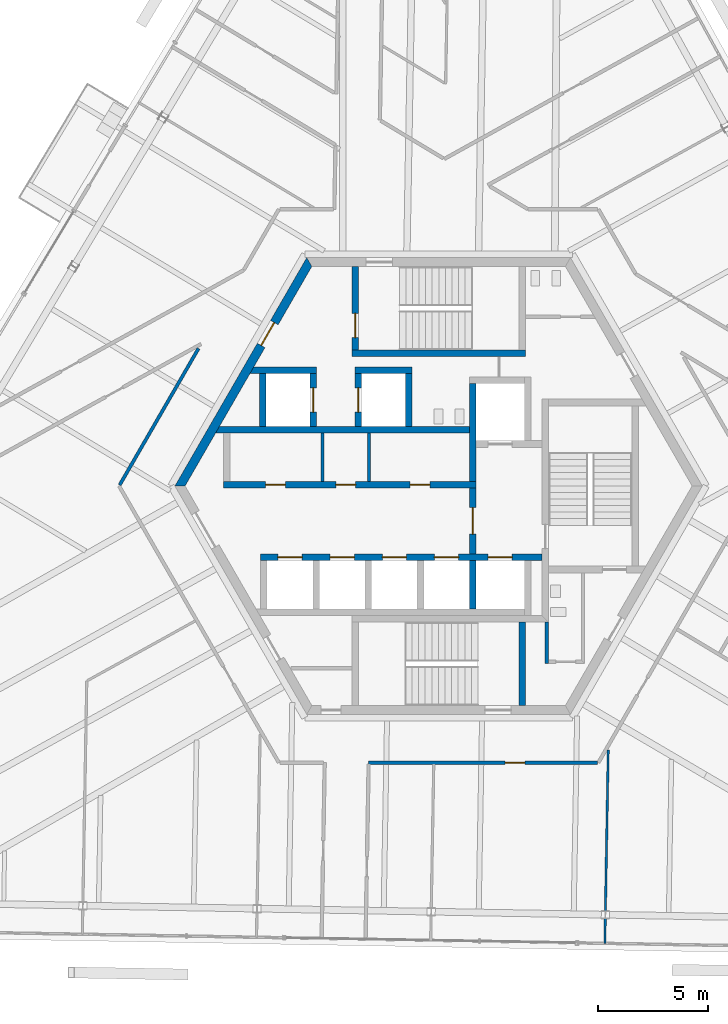
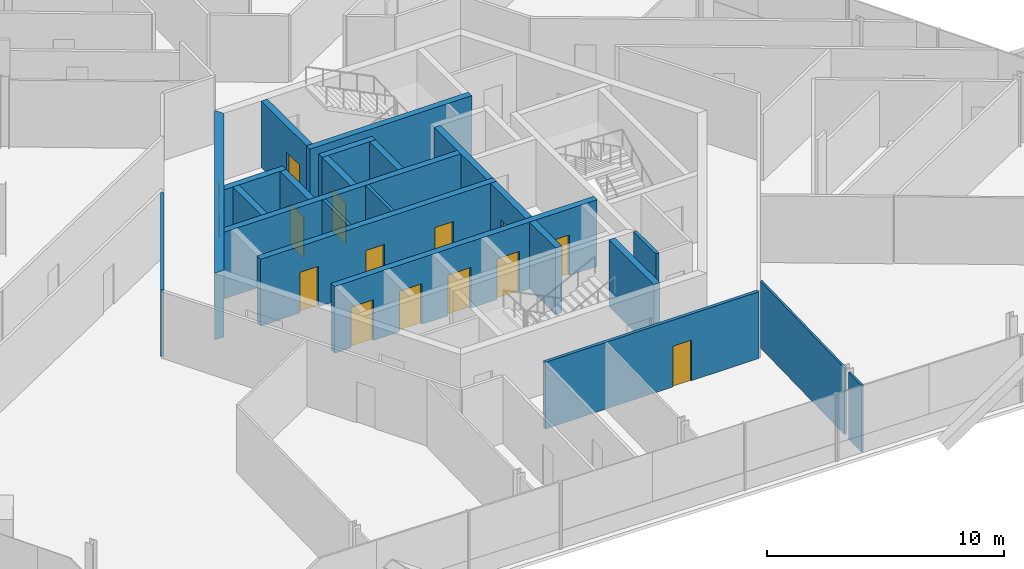
# One storey, part 12 of 19: 23 walls, 14 doors, 14 openings.
"""IFC4 building model written with IfcOpenShell, lengths in metres."""

import ifcopenshell
import ifcopenshell.guid

model = None  # the IFC model being written
_history = None  # IfcOwnerHistory: only IFC2X3 demands one
_inside = {}  # id of a spatial element -> (the spatial element, [elements in it])
_under = {}  # id of a project, library or spatial element -> (it, [spatial elements below it])
_declared = {}  # id of a project -> (the project, [libraries it declares])
_typed = {}  # id of a type object -> (the type object, [elements of that type])
_made_of = {}  # id of a material, layer set ... -> (it, [elements and type objects made of it])


def new_model(schema):
    """Start an empty IFC model of exactly this schema.

    Asked for "IFC4X3", IfcOpenShell would pick the latest addendum, in which some entities
    have other attributes; the version numbers below select the first issue.
    IFC2X3 requires an IfcOwnerHistory on every rooted entity: one is made here for all.
    """
    global model, _history
    if schema == "IFC4X3":
        model = ifcopenshell.file(schema_version=(4, 3, 0, 0))
    else:
        model = ifcopenshell.file(schema=schema)
    _inside.clear()
    _under.clear()
    _declared.clear()
    _typed.clear()
    _made_of.clear()
    _history = None
    if model.schema == "IFC2X3":
        org = make("IfcOrganization", Name="unknown")
        user = make(
            "IfcPersonAndOrganization",
            ThePerson=make("IfcPerson", FamilyName="unknown"),
            TheOrganization=org,
        )
        app = make(
            "IfcApplication",
            ApplicationDeveloper=org,
            Version="unknown",
            ApplicationFullName="unknown",
            ApplicationIdentifier="unknown",
        )
        _history = make(
            "IfcOwnerHistory",
            OwningUser=user,
            OwningApplication=app,
            ChangeAction="ADDED",
            CreationDate=0,
        )
    return model


def make(cls, **values):
    """One entity of the class cls with the attributes given. An attribute that is None is left unset."""
    return model.create_entity(
        cls, **{name: value for name, value in values.items() if value is not None}
    )


def rooted(cls, **values):
    """An entity with a GlobalId (a new one), such as an element, a storey or a relation."""
    return make(cls, GlobalId=ifcopenshell.guid.new(), OwnerHistory=_history, **values)


def si_unit(unit_type, name, prefix=None):
    """IfcSIUnit, for example si_unit("LENGTHUNIT", "METRE", prefix="MILLI")."""
    return make("IfcSIUnit", UnitType=unit_type, Prefix=prefix, Name=name)


def assignment(units):
    """IfcUnitAssignment: the units of a project."""
    return None if units is None else make("IfcUnitAssignment", Units=units)


def point(xyz):
    """IfcCartesianPoint."""
    return None if xyz is None else make("IfcCartesianPoint", Coordinates=xyz)


def direction(xyz):
    """IfcDirection."""
    return None if xyz is None else make("IfcDirection", DirectionRatios=xyz)


def frame(location, z_axis=None, x_axis=None):
    """IfcAxis2Placement3D, a coordinate frame: its origin and axes. An axis left out is left unset."""
    return make(
        "IfcAxis2Placement3D",
        Location=point(location),
        Axis=direction(z_axis),
        RefDirection=direction(x_axis),
    )


def frame_2d(location, x_axis=None):
    """IfcAxis2Placement2D, a coordinate frame in the plane: its origin and x axis."""
    return make(
        "IfcAxis2Placement2D", Location=point(location), RefDirection=direction(x_axis)
    )


def origin():
    """The frame at (0, 0, 0) with its axes left unset."""
    return frame((0.0, 0.0, 0.0))


def place(relative_to, where):
    """IfcLocalPlacement: puts the frame where relative to a parent placement (None: the world)."""
    return make(
        "IfcLocalPlacement", PlacementRelTo=relative_to, RelativePlacement=where
    )


def context(
    kind, dimensions, precision=None, world=None, true_north=None, identifier=None
):
    """IfcGeometricRepresentationContext, for example the 3D "Model" context."""
    return make(
        "IfcGeometricRepresentationContext",
        ContextIdentifier=identifier,
        ContextType=kind,
        CoordinateSpaceDimension=dimensions,
        Precision=precision,
        WorldCoordinateSystem=world,
        TrueNorth=true_north,
    )


def subcontext(parent, identifier, kind, view, scale=None):
    """IfcGeometricRepresentationSubContext, for example "Body" below "Model"."""
    return make(
        "IfcGeometricRepresentationSubContext",
        ContextIdentifier=identifier,
        ContextType=kind,
        ParentContext=parent,
        TargetScale=scale,
        TargetView=view,
    )


def project(units=None, contexts=None):
    """IfcProject with its units and contexts."""
    return rooted(
        "IfcProject",
        Name="project",
        RepresentationContexts=contexts,
        UnitsInContext=assignment(units),
    )


def spatial(cls, under=None, at=None, **own):
    """A site, building, storey or space (cls), placed at a placement, below another one or the project."""
    s = rooted(cls, ObjectPlacement=at, **own)
    if under is not None:
        _under.setdefault(under.id(), (under, []))[1].append(s)
    return s


def polyline(points):
    """IfcPolyline through the points."""
    return make("IfcPolyline", Points=[point(p) for p in points])


def profile(cls, at=None, kind="AREA", **sizes):
    """A parametric profile (cls). Its sizes go by their IFC names, for example OverallWidth=200.0."""
    return make(cls, ProfileType=kind, Position=at, **sizes)


def rectangle(**sizes):
    """IfcRectangleProfileDef."""
    return profile("IfcRectangleProfileDef", **sizes)


def outline(outer, holes=None, kind="AREA"):
    """IfcArbitraryClosedProfileDef: a profile drawn as a closed curve; with holes, ...WithVoids."""
    if holes is None:
        return make("IfcArbitraryClosedProfileDef", ProfileType=kind, OuterCurve=outer)
    return make(
        "IfcArbitraryProfileDefWithVoids",
        ProfileType=kind,
        OuterCurve=outer,
        InnerCurves=holes,
    )


def extrude(swept, where, along, depth):
    """IfcExtrudedAreaSolid: the profile swept, set in the frame where, extruded along a direction by depth."""
    return make(
        "IfcExtrudedAreaSolid",
        SweptArea=swept,
        Position=where,
        ExtrudedDirection=direction(along),
        Depth=depth,
    )


def shape(context_of_items, identifier, shape_type, items):
    """IfcShapeRepresentation: the items that make up one representation, for example the "Body"."""
    return make(
        "IfcShapeRepresentation",
        ContextOfItems=context_of_items,
        RepresentationIdentifier=identifier,
        RepresentationType=shape_type,
        Items=items,
    )


def source(mapping_origin, context_of_items, identifier, shape_type, items):
    """IfcRepresentationMap: a shape defined once, which mapped items show again and again."""
    return make(
        "IfcRepresentationMap",
        MappingOrigin=mapping_origin,
        MappedRepresentation=shape(context_of_items, identifier, shape_type, items),
    )


def transform(
    local_origin,
    x_axis=None,
    y_axis=None,
    z_axis=None,
    scale=None,
    scale2=None,
    scale3=None,
    uniform=True,
):
    """IfcCartesianTransformationOperator3D, or its non-uniform kind. x_axis, y_axis, z_axis: its Axis1, 2, 3."""
    if uniform:
        return make(
            "IfcCartesianTransformationOperator3D",
            Axis1=direction(x_axis),
            Axis2=direction(y_axis),
            LocalOrigin=point(local_origin),
            Scale=scale,
            Axis3=direction(z_axis),
        )
    return make(
        "IfcCartesianTransformationOperator3DnonUniform",
        Axis1=direction(x_axis),
        Axis2=direction(y_axis),
        LocalOrigin=point(local_origin),
        Scale=scale,
        Axis3=direction(z_axis),
        Scale2=scale2,
        Scale3=scale3,
    )


def mapped(mapping_source, mapping_target):
    """IfcMappedItem: shows the shape of a source again, moved by a transform."""
    return make(
        "IfcMappedItem", MappingSource=mapping_source, MappingTarget=mapping_target
    )


def material(Name=None, Category=None):
    """IfcMaterial."""
    return make("IfcMaterial", Name=Name, Category=Category)


def layer(
    of_material, thickness, ventilated=None, Name=None, Category=None, Priority=None
):
    """IfcMaterialLayer: one layer of a wall or slab, of a material (None: an air gap)."""
    return make(
        "IfcMaterialLayer",
        Material=of_material,
        LayerThickness=thickness,
        IsVentilated=ventilated,
        Name=Name,
        Category=Category,
        Priority=Priority,
    )


def layer_set(layers, Name=None):
    """IfcMaterialLayerSet."""
    return make("IfcMaterialLayerSet", MaterialLayers=layers, LayerSetName=Name)


def made_of(thing, what):
    """Note that an element or type object is made of a material, layer set ...; save() writes the relation."""
    if what is not None:
        _made_of.setdefault(what.id(), (what, []))[1].append(thing)
    return thing


def type_object(cls, material=None, **own):
    """A type object (cls), such as IfcWallType, which elements share."""
    return made_of(rooted(cls, **own), material)


def element(
    cls,
    number,
    at=None,
    inside=None,
    cuts=None,
    type_object=None,
    material=None,
    context=None,
    identifier="Body",
    shape_type=None,
    held_by="IfcProductDefinitionShape",
    body=None,
    shapes=None,
    **own,
):
    """One element of the class cls, such as IfcWall. Its Tag is "e" and its number.

    at: its placement. inside: the storey or other place that contains it. cuts: it is an
    opening in that element (IfcRelVoidsElement). A single representation is given by context,
    identifier, shape_type and body (its items); several are given by shapes. held_by: the class
    of the entity that holds the representations. save() writes the other relations.
    """
    e = rooted(cls, Tag="e%d" % number, ObjectPlacement=at, **own)
    if body is not None:
        shapes = [shape(context, identifier, shape_type, body)]
    if shapes is not None:
        e.Representation = make(held_by, Representations=shapes)
    if inside is not None:
        _inside.setdefault(inside.id(), (inside, []))[1].append(e)
    if cuts is not None:
        rooted(
            "IfcRelVoidsElement", RelatingBuildingElement=cuts, RelatedOpeningElement=e
        )
    if type_object is not None:
        _typed.setdefault(type_object.id(), (type_object, []))[1].append(e)
    return made_of(e, material)


def fill(opening, filler):
    """IfcRelFillsElement: the door or window that sits in an opening."""
    return rooted(
        "IfcRelFillsElement",
        RelatingOpeningElement=opening,
        RelatedBuildingElement=filler,
    )


def aggregate(whole, parts):
    """IfcRelAggregates: a whole, such as a stair, and the parts it consists of."""
    return rooted("IfcRelAggregates", RelatingObject=whole, RelatedObjects=parts)


def save(model, path):
    """Write the relations noted so far, then the file.

    IfcRelAggregates (storeys below a building ...), IfcRelContainedInSpatialStructure (elements
    in a storey), IfcRelDefinesByType, IfcRelAssociatesMaterial and IfcRelDeclares: one each for
    every whole, place, type object, material and project.
    """
    for whole, parts in _under.values():
        aggregate(whole, parts)
    for where, things in _inside.values():
        rooted(
            "IfcRelContainedInSpatialStructure",
            RelatedElements=things,
            RelatingStructure=where,
        )
    for kind, things in _typed.values():
        rooted("IfcRelDefinesByType", RelatedObjects=things, RelatingType=kind)
    for what, things in _made_of.values():
        rooted("IfcRelAssociatesMaterial", RelatedObjects=things, RelatingMaterial=what)
    for by, libraries in _declared.values():
        rooted("IfcRelDeclares", RelatingContext=by, RelatedDefinitions=libraries)
    model.write(path)


model = new_model("IFC4")

# Units and contexts
model_context = context("Model", 3, precision=1e-05, world=origin(), true_north=direction((0.0, 1.0)))
body_context = subcontext(model_context, "Body", "Model", "MODEL_VIEW")
ifc_project = project(units=[si_unit("LENGTHUNIT", "METRE"), si_unit("AREAUNIT", "SQUARE_METRE"), si_unit("VOLUMEUNIT", "CUBIC_METRE"), si_unit("PLANEANGLEUNIT", "RADIAN"), si_unit("MASSUNIT", "GRAM", prefix="KILO")], contexts=[model_context])

# Site, building, storey
site_placement = place(None, origin())
site = spatial("IfcSite", under=ifc_project, at=site_placement, CompositionType="ELEMENT")
building_placement = place(site_placement, origin())
building = spatial("IfcBuilding", under=site, at=building_placement, Name="Triune Harvest Tower", CompositionType="ELEMENT")
storey_placement = place(building_placement, frame((0.0, 0.0, 205.10009765625)))
storey = spatial("IfcBuildingStorey", under=building, at=storey_placement, Name="L53", CompositionType="ELEMENT", Elevation=205.10009765625)

# Wall, opening, door
ifc_material_1 = material(Name="Concrete 70 MPa", Category="concrete")
ifc_layer_1 = layer(ifc_material_1, 0.39990234375)
ifc_layer_set_1 = layer_set([ifc_layer_1], Name="Concrete 70 MPa")
wall_type_1 = type_object("IfcWallType", Name="Core wall 400", PredefinedType="SHEAR", material=ifc_layer_set_1)
shared_shape_1 = source(origin(), body_context, "Body", "SweptSolid", [
    extrude(outline(polyline([(-0.115478515625, -0.199951171875), (11.884521484375, -0.199951171875), (11.653564453125, 0.199951171875), (0.115478515625, 0.199951171875), (-0.115478515625, -0.199951171875)])), origin(), (0.0, 0.0, 1.0), 3.43994140625),
])
wall_1_placement = place(storey_placement, frame((-5.884521484375, 10.1923828125, 0.0), z_axis=(0.0, 0.0, 1.0), x_axis=(-0.499996592174, -0.866027371285, 0.0)))
wall_1 = element("IfcWall", 1, at=wall_1_placement, inside=storey, type_object=wall_type_1, Name="Hexagon 2 wall", PredefinedType="SHEAR", context=body_context, shape_type="MappedRepresentation", body=[
    mapped(shared_shape_1, transform((0.0, 0.0, 0.0), scale=1.0)),
])
opening_1_placement = place(wall_1_placement, frame((3.1845703125, 0.0, 0.0)))
opening_1 = element("IfcOpeningElement", 2, at=opening_1_placement, cuts=wall_1, Name="Opening CD-SVP", PredefinedType="OPENING", context=body_context, shape_type="SweptSolid", body=[
    extrude(rectangle(XDim=1.199951171875, YDim=2.10009765625, at=frame_2d((0.60009765625, 1.050048828125))), frame((0.0, 0.2099609375, 0.0), z_axis=(0.0, -1.0, 0.0), x_axis=(1.0, 0.0, 0.0)), (0.0, 0.0, 1.0), 0.419921875),
])
ifc_material_2 = material(Name="Steel S235", Category="steel")
door_type_1 = type_object("IfcDoorType", Name="Service door 1200 FD120", OperationType="SINGLE_SWING_LEFT", PredefinedType="DOOR", material=ifc_material_2)
door_1_placement = place(opening_1_placement, frame((1.199951171875, 0.0, 0.0), z_axis=(0.0, 0.0, 1.0), x_axis=(-1.0, 0.0, 0.0)))
door_1 = element("IfcDoor", 3, at=door_1_placement, inside=storey, type_object=door_type_1, Name="Door CD-SVP", OperationType="SINGLE_SWING_RIGHT", OverallHeight=2.10009765625, OverallWidth=1.199951171875, PredefinedType="DOOR", context=body_context, shape_type="SweptSolid", body=[
    extrude(rectangle(XDim=1.199951171875, YDim=2.10009765625, at=frame_2d((0.60009765625, 1.050048828125))), frame((0.0, 0.02490234375, 0.0), z_axis=(0.0, -1.0, 0.0), x_axis=(1.0, 0.0, 0.0)), (0.0, 0.0, 1.0), 0.050048828125),
])
fill(opening_1, door_1)

# Wall, openings, doors
ifc_material_3 = material(Name="Concrete 70 MPa", Category="concrete")
ifc_layer_2 = layer(ifc_material_3, 0.300048828125)
ifc_layer_set_2 = layer_set([ifc_layer_2], Name="Concrete 70 MPa")
wall_type_2 = type_object("IfcWallType", Name="Core wall 300", PredefinedType="SHEAR", material=ifc_layer_set_2)
shared_shape_2 = source(origin(), body_context, "Body", "SweptSolid", [
    extrude(rectangle(XDim=11.5, YDim=0.300048828125, at=frame_2d((5.75, 0.0))), origin(), (0.0, 0.0, 1.0), 3.43994140625),
])
wall_2_placement = place(storey_placement, frame((-9.800048828125, 0.06005859375, 0.0), z_axis=(0.0, 0.0, 1.0), x_axis=(1.0, 0.0, 0.0)))
wall_2 = element("IfcWall", 4, at=wall_2_placement, inside=storey, type_object=wall_type_2, Name="North front wall", PredefinedType="SHEAR", context=body_context, shape_type="MappedRepresentation", body=[
    mapped(shared_shape_2, transform((0.0, 0.0, 0.0), scale=1.0)),
])
opening_2_placement = place(wall_2_placement, frame((1.922607421875, 0.0, 0.0)))
opening_2 = element("IfcOpeningElement", 5, at=opening_2_placement, cuts=wall_2, Name="Opening CD-RN1", PredefinedType="OPENING", context=body_context, shape_type="SweptSolid", body=[
    extrude(rectangle(XDim=0.89990234375, YDim=2.10009765625, at=frame_2d((0.449951171875, 1.050048828125))), frame((0.0, 0.16015625, 0.0), z_axis=(0.0, -1.0, 0.0), x_axis=(1.0, 0.0, 0.0)), (0.0, 0.0, 1.0), 0.320068359375),
])
opening_3_placement = place(wall_2_placement, frame((5.125, 0.0, 0.0)))
opening_3 = element("IfcOpeningElement", 6, at=opening_3_placement, cuts=wall_2, Name="Opening CD-RN2", PredefinedType="OPENING", context=body_context, shape_type="SweptSolid", body=[
    extrude(rectangle(XDim=0.89990234375, YDim=2.10009765625, at=frame_2d((0.449951171875, 1.050048828125))), frame((0.0, 0.16015625, 0.0), z_axis=(0.0, -1.0, 0.0), x_axis=(1.0, 0.0, 0.0)), (0.0, 0.0, 1.0), 0.320068359375),
])
opening_4_placement = place(wall_2_placement, frame((8.50244140625, 0.0, 0.0)))
opening_4 = element("IfcOpeningElement", 7, at=opening_4_placement, cuts=wall_2, Name="Opening CD-RN3", PredefinedType="OPENING", context=body_context, shape_type="SweptSolid", body=[
    extrude(rectangle(XDim=0.89990234375, YDim=2.10009765625, at=frame_2d((0.449951171875, 1.050048828125))), frame((0.0, 0.16015625, 0.0), z_axis=(0.0, -1.0, 0.0), x_axis=(1.0, 0.0, 0.0)), (0.0, 0.0, 1.0), 0.320068359375),
])
ifc_material_4 = material(Name="Steel S235", Category="steel")
door_type_2 = type_object("IfcDoorType", Name="Riser door 900 FD120", OperationType="SINGLE_SWING_LEFT", PredefinedType="DOOR", material=ifc_material_4)
door_2_placement = place(opening_2_placement, frame((0.89990234375, 0.0, 0.0), z_axis=(0.0, 0.0, 1.0), x_axis=(-1.0, 0.0, 0.0)))
door_2 = element("IfcDoor", 8, at=door_2_placement, inside=storey, type_object=door_type_2, Name="Door CD-RN1", OperationType="SINGLE_SWING_RIGHT", OverallHeight=2.10009765625, OverallWidth=0.89990234375, PredefinedType="DOOR", context=body_context, shape_type="SweptSolid", body=[
    extrude(rectangle(XDim=0.89990234375, YDim=2.10009765625, at=frame_2d((0.449951171875, 1.050048828125))), frame((0.0, 0.02490234375, 0.0), z_axis=(0.0, -1.0, 0.0), x_axis=(1.0, 0.0, 0.0)), (0.0, 0.0, 1.0), 0.050048828125),
])
fill(opening_2, door_2)
door_3_placement = place(opening_3_placement, frame((0.89990234375, 0.0, 0.0), z_axis=(0.0, 0.0, 1.0), x_axis=(-1.0, 0.0, 0.0)))
door_3 = element("IfcDoor", 9, at=door_3_placement, inside=storey, type_object=door_type_2, Name="Door CD-RN2", OperationType="SINGLE_SWING_RIGHT", OverallHeight=2.10009765625, OverallWidth=0.89990234375, PredefinedType="DOOR", context=body_context, shape_type="SweptSolid", body=[
    extrude(rectangle(XDim=0.89990234375, YDim=2.10009765625, at=frame_2d((0.449951171875, 1.050048828125))), frame((0.0, 0.02490234375, 0.0), z_axis=(0.0, -1.0, 0.0), x_axis=(1.0, 0.0, 0.0)), (0.0, 0.0, 1.0), 0.050048828125),
])
fill(opening_3, door_3)
door_4_placement = place(opening_4_placement, frame((0.89990234375, 0.0, 0.0), z_axis=(0.0, 0.0, 1.0), x_axis=(-1.0, 0.0, 0.0)))
door_4 = element("IfcDoor", 10, at=door_4_placement, inside=storey, type_object=door_type_2, Name="Door CD-RN3", OperationType="SINGLE_SWING_RIGHT", OverallHeight=2.10009765625, OverallWidth=0.89990234375, PredefinedType="DOOR", context=body_context, shape_type="SweptSolid", body=[
    extrude(rectangle(XDim=0.89990234375, YDim=2.10009765625, at=frame_2d((0.449951171875, 1.050048828125))), frame((0.0, 0.02490234375, 0.0), z_axis=(0.0, -1.0, 0.0), x_axis=(1.0, 0.0, 0.0)), (0.0, 0.0, 1.0), 0.050048828125),
])
fill(opening_4, door_4)

# Walls
shared_shape_3 = source(origin(), body_context, "Body", "SweptSolid", [
    extrude(outline(polyline([(11.199951171875, -0.14990234375), (-0.34912109375, -0.14990234375), (-0.17578125, 0.14990234375), (11.199951171875, 0.14990234375), (11.199951171875, -0.14990234375)])), origin(), (0.0, 0.0, 1.0), 3.43994140625),
])
wall_3_placement = place(storey_placement, frame((-9.800048828125, 2.56005859375, 0.0), z_axis=(0.0, 0.0, 1.0), x_axis=(1.0, 0.0, 0.0)))
element("IfcWall", 11, at=wall_3_placement, inside=storey, type_object=wall_type_2, Name="North back wall", PredefinedType="SHEAR", context=body_context, shape_type="MappedRepresentation", body=[
    mapped(shared_shape_3, transform((0.0, 0.0, 0.0), scale=1.0)),
])
shared_shape_4 = source(origin(), body_context, "Body", "SweptSolid", [
    extrude(rectangle(XDim=4.449951171875, YDim=0.300048828125, at=frame_2d((2.22509765625, 0.0))), origin(), (0.0, 0.0, 1.0), 3.43994140625),
])
wall_4_placement = place(storey_placement, frame((1.550048828125, 0.2099609375, 0.0), z_axis=(0.0, 0.0, 1.0), x_axis=(0.0, 1.0, 0.0)))
element("IfcWall", 12, at=wall_4_placement, inside=storey, type_object=wall_type_2, Name="Ff1 west wall", PredefinedType="SHEAR", context=body_context, shape_type="MappedRepresentation", body=[
    mapped(shared_shape_4, transform((0.0, 0.0, 0.0), scale=1.0)),
])

# Wall, opening, door
shared_shape_5 = source(origin(), body_context, "Body", "SweptSolid", [
    extrude(rectangle(XDim=3.0, YDim=0.300048828125, at=frame_2d((1.5, 0.0))), origin(), (0.0, 0.0, 1.0), 3.43994140625),
])
wall_5_placement = place(storey_placement, frame((1.550048828125, -3.090087890625, 0.0), z_axis=(0.0, 0.0, 1.0), x_axis=(0.0, 1.0, 0.0)))
wall_5 = element("IfcWall", 13, at=wall_5_placement, inside=storey, type_object=wall_type_2, Name="Ff lobby west wall", PredefinedType="SHEAR", context=body_context, shape_type="MappedRepresentation", body=[
    mapped(shared_shape_5, transform((0.0, 0.0, 0.0), scale=1.0)),
])
opening_5_placement = place(wall_5_placement, frame((0.89990234375, 0.0, 0.0)))
opening_5 = element("IfcOpeningElement", 14, at=opening_5_placement, cuts=wall_5, Name="Opening CD-FL", PredefinedType="OPENING", context=body_context, shape_type="SweptSolid", body=[
    extrude(rectangle(XDim=1.199951171875, YDim=2.10009765625, at=frame_2d((0.60009765625, 1.050048828125))), frame((0.0, 0.16015625, 0.0), z_axis=(0.0, -1.0, 0.0), x_axis=(1.0, 0.0, 0.0)), (0.0, 0.0, 1.0), 0.320068359375),
])
ifc_material_5 = material(Name="Steel S235", Category="steel")
door_type_3 = type_object("IfcDoorType", Name="Firefighters' lobby door 1200 FD120", OperationType="SINGLE_SWING_LEFT", PredefinedType="DOOR", material=ifc_material_5)
door_5_placement = place(opening_5_placement, frame((1.199951171875, 0.0, 0.0), z_axis=(0.0, 0.0, 1.0), x_axis=(-1.0, 0.0, 0.0)))
door_5 = element("IfcDoor", 15, at=door_5_placement, inside=storey, type_object=door_type_3, Name="Door CD-FL", OperationType="SINGLE_SWING_RIGHT", OverallHeight=2.10009765625, OverallWidth=1.199951171875, PredefinedType="DOOR", context=body_context, shape_type="SweptSolid", body=[
    extrude(rectangle(XDim=1.199951171875, YDim=2.10009765625, at=frame_2d((0.60009765625, 1.050048828125))), frame((0.0, 0.02490234375, 0.0), z_axis=(0.0, -1.0, 0.0), x_axis=(1.0, 0.0, 0.0)), (0.0, 0.0, 1.0), 0.050048828125),
])
fill(opening_5, door_5)

# Wall, openings, doors
shared_shape_6 = source(origin(), body_context, "Body", "SweptSolid", [
    extrude(rectangle(XDim=12.800048828125, YDim=0.300048828125, at=frame_2d((6.39990234375, 0.0))), origin(), (0.0, 0.0, 1.0), 3.43994140625),
])
wall_6_placement = place(storey_placement, frame((-8.10009765625, -3.239990234375, 0.0), z_axis=(0.0, 0.0, 1.0), x_axis=(1.0, 0.0, 0.0)))
wall_6 = element("IfcWall", 16, at=wall_6_placement, inside=storey, type_object=wall_type_2, Name="South front wall", PredefinedType="SHEAR", context=body_context, shape_type="MappedRepresentation", body=[
    mapped(shared_shape_6, transform((0.0, 0.0, 0.0), scale=1.0)),
])
opening_6_placement = place(wall_6_placement, frame((0.78759765625, 0.0, 0.0)))
opening_6 = element("IfcOpeningElement", 17, at=opening_6_placement, cuts=wall_6, Name="Opening LD-HR1-53", PredefinedType="OPENING", context=body_context, shape_type="SweptSolid", body=[
    extrude(rectangle(XDim=1.10009765625, YDim=2.10009765625, at=frame_2d((0.550048828125, 1.050048828125))), frame((0.0, 0.16015625, 0.0), z_axis=(0.0, -1.0, 0.0), x_axis=(1.0, 0.0, 0.0)), (0.0, 0.0, 1.0), 0.320068359375),
])
opening_7_placement = place(wall_6_placement, frame((3.16259765625, 0.0, 0.0)))
opening_7 = element("IfcOpeningElement", 18, at=opening_7_placement, cuts=wall_6, Name="Opening LD-HR2-53", PredefinedType="OPENING", context=body_context, shape_type="SweptSolid", body=[
    extrude(rectangle(XDim=1.10009765625, YDim=2.10009765625, at=frame_2d((0.550048828125, 1.050048828125))), frame((0.0, 0.16015625, 0.0), z_axis=(0.0, -1.0, 0.0), x_axis=(1.0, 0.0, 0.0)), (0.0, 0.0, 1.0), 0.320068359375),
])
opening_8_placement = place(wall_6_placement, frame((5.53759765625, 0.0, 0.0)))
opening_8 = element("IfcOpeningElement", 19, at=opening_8_placement, cuts=wall_6, Name="Opening LD-HR3-53", PredefinedType="OPENING", context=body_context, shape_type="SweptSolid", body=[
    extrude(rectangle(XDim=1.10009765625, YDim=2.10009765625, at=frame_2d((0.550048828125, 1.050048828125))), frame((0.0, 0.16015625, 0.0), z_axis=(0.0, -1.0, 0.0), x_axis=(1.0, 0.0, 0.0)), (0.0, 0.0, 1.0), 0.320068359375),
])
opening_9_placement = place(wall_6_placement, frame((7.91259765625, 0.0, 0.0)))
opening_9 = element("IfcOpeningElement", 20, at=opening_9_placement, cuts=wall_6, Name="Opening LD-HR4-53", PredefinedType="OPENING", context=body_context, shape_type="SweptSolid", body=[
    extrude(rectangle(XDim=1.10009765625, YDim=2.10009765625, at=frame_2d((0.550048828125, 1.050048828125))), frame((0.0, 0.16015625, 0.0), z_axis=(0.0, -1.0, 0.0), x_axis=(1.0, 0.0, 0.0)), (0.0, 0.0, 1.0), 0.320068359375),
])
opening_10_placement = place(wall_6_placement, frame((10.35009765625, 0.0, 0.0)))
opening_10 = element("IfcOpeningElement", 21, at=opening_10_placement, cuts=wall_6, Name="Opening LD-FF2-53", PredefinedType="OPENING", context=body_context, shape_type="SweptSolid", body=[
    extrude(rectangle(XDim=1.10009765625, YDim=2.10009765625, at=frame_2d((0.550048828125, 1.050048828125))), frame((0.0, 0.16015625, 0.0), z_axis=(0.0, -1.0, 0.0), x_axis=(1.0, 0.0, 0.0)), (0.0, 0.0, 1.0), 0.320068359375),
])
ifc_material_6 = material(Name="Stainless steel AISI 304", Category="steel")
door_type_4 = type_object("IfcDoorType", Name="Landing door 1100 x 2100", OperationType="DOUBLE_DOOR_SLIDING", PredefinedType="DOOR", material=ifc_material_6)
door_6_placement = place(opening_6_placement, origin())
door_6 = element("IfcDoor", 22, at=door_6_placement, inside=storey, type_object=door_type_4, Name="Door LD-HR1-53", OperationType="DOUBLE_DOOR_SLIDING", OverallHeight=2.10009765625, OverallWidth=1.10009765625, PredefinedType="DOOR", context=body_context, shape_type="SweptSolid", body=[
    extrude(rectangle(XDim=1.10009765625, YDim=2.10009765625, at=frame_2d((0.550048828125, 1.050048828125))), frame((0.0, 0.02490234375, 0.0), z_axis=(0.0, -1.0, 0.0), x_axis=(1.0, 0.0, 0.0)), (0.0, 0.0, 1.0), 0.050048828125),
])
fill(opening_6, door_6)
door_7_placement = place(opening_7_placement, origin())
door_7 = element("IfcDoor", 23, at=door_7_placement, inside=storey, type_object=door_type_4, Name="Door LD-HR2-53", OperationType="DOUBLE_DOOR_SLIDING", OverallHeight=2.10009765625, OverallWidth=1.10009765625, PredefinedType="DOOR", context=body_context, shape_type="SweptSolid", body=[
    extrude(rectangle(XDim=1.10009765625, YDim=2.10009765625, at=frame_2d((0.550048828125, 1.050048828125))), frame((0.0, 0.02490234375, 0.0), z_axis=(0.0, -1.0, 0.0), x_axis=(1.0, 0.0, 0.0)), (0.0, 0.0, 1.0), 0.050048828125),
])
fill(opening_7, door_7)
door_8_placement = place(opening_8_placement, origin())
door_8 = element("IfcDoor", 24, at=door_8_placement, inside=storey, type_object=door_type_4, Name="Door LD-HR3-53", OperationType="DOUBLE_DOOR_SLIDING", OverallHeight=2.10009765625, OverallWidth=1.10009765625, PredefinedType="DOOR", context=body_context, shape_type="SweptSolid", body=[
    extrude(rectangle(XDim=1.10009765625, YDim=2.10009765625, at=frame_2d((0.550048828125, 1.050048828125))), frame((0.0, 0.02490234375, 0.0), z_axis=(0.0, -1.0, 0.0), x_axis=(1.0, 0.0, 0.0)), (0.0, 0.0, 1.0), 0.050048828125),
])
fill(opening_8, door_8)
door_9_placement = place(opening_9_placement, origin())
door_9 = element("IfcDoor", 25, at=door_9_placement, inside=storey, type_object=door_type_4, Name="Door LD-HR4-53", OperationType="DOUBLE_DOOR_SLIDING", OverallHeight=2.10009765625, OverallWidth=1.10009765625, PredefinedType="DOOR", context=body_context, shape_type="SweptSolid", body=[
    extrude(rectangle(XDim=1.10009765625, YDim=2.10009765625, at=frame_2d((0.550048828125, 1.050048828125))), frame((0.0, 0.02490234375, 0.0), z_axis=(0.0, -1.0, 0.0), x_axis=(1.0, 0.0, 0.0)), (0.0, 0.0, 1.0), 0.050048828125),
])
fill(opening_9, door_9)
door_10_placement = place(opening_10_placement, origin())
door_10 = element("IfcDoor", 26, at=door_10_placement, inside=storey, type_object=door_type_4, Name="Door LD-FF2-53", OperationType="DOUBLE_DOOR_SLIDING", OverallHeight=2.10009765625, OverallWidth=1.10009765625, PredefinedType="DOOR", context=body_context, shape_type="SweptSolid", body=[
    extrude(rectangle(XDim=1.10009765625, YDim=2.10009765625, at=frame_2d((0.550048828125, 1.050048828125))), frame((0.0, 0.02490234375, 0.0), z_axis=(0.0, -1.0, 0.0), x_axis=(1.0, 0.0, 0.0)), (0.0, 0.0, 1.0), 0.050048828125),
])
fill(opening_10, door_10)

# Walls
shared_shape_7 = source(origin(), body_context, "Body", "SweptSolid", [
    extrude(rectangle(XDim=2.2001953125, YDim=0.300048828125, at=frame_2d((1.10009765625, 0.0))), origin(), (0.0, 0.0, 1.0), 3.43994140625),
])
wall_7_placement = place(storey_placement, frame((1.550048828125, -5.590087890625, 0.0), z_axis=(0.0, 0.0, 1.0), x_axis=(0.0, 1.0, 0.0)))
element("IfcWall", 27, at=wall_7_placement, inside=storey, type_object=wall_type_2, Name="Ff2 west wall", PredefinedType="SHEAR", context=body_context, shape_type="MappedRepresentation", body=[
    mapped(shared_shape_7, transform((0.0, 0.0, 0.0), scale=1.0)),
])
shared_shape_8 = source(origin(), body_context, "Body", "SweptSolid", [
    extrude(rectangle(XDim=7.89990234375, YDim=0.300048828125, at=frame_2d((3.949951171875, 0.0))), origin(), (0.0, 0.0, 1.0), 3.43994140625),
])
wall_8_placement = place(storey_placement, frame((-3.949951171875, 6.0400390625, 0.0), z_axis=(0.0, 0.0, 1.0), x_axis=(1.0, 0.0, 0.0)))
element("IfcWall", 28, at=wall_8_placement, inside=storey, type_object=wall_type_2, Name="Stair n south wall", PredefinedType="SHEAR", context=body_context, shape_type="MappedRepresentation", body=[
    mapped(shared_shape_8, transform((0.0, 0.0, 0.0), scale=1.0)),
])

# Wall, opening, door
shared_shape_9 = source(origin(), body_context, "Body", "SweptSolid", [
    extrude(outline(polyline([(0.0, -0.14990234375), (0.0, 0.14990234375), (3.80419921875, 0.14990234375), (3.80419921875, -0.14990234375), (0.0, -0.14990234375)])), origin(), (0.0, 0.0, 1.0), 3.43994140625),
])
wall_9_placement = place(storey_placement, frame((-3.800048828125, 6.18994140625, 0.0), z_axis=(0.0, 0.0, 1.0), x_axis=(0.0, 1.0, 0.0)))
wall_9 = element("IfcWall", 29, at=wall_9_placement, inside=storey, type_object=wall_type_2, Name="Stair n west wall", PredefinedType="SHEAR", context=body_context, shape_type="MappedRepresentation", body=[
    mapped(shared_shape_9, transform((0.0, 0.0, 0.0), scale=1.0)),
])
opening_11_placement = place(wall_9_placement, frame((0.56005859375, 0.0, 0.0)))
opening_11 = element("IfcOpeningElement", 30, at=opening_11_placement, cuts=wall_9, Name="Opening CD-S1L", PredefinedType="OPENING", context=body_context, shape_type="SweptSolid", body=[
    extrude(rectangle(XDim=1.10009765625, YDim=2.10009765625, at=frame_2d((0.550048828125, 1.050048828125))), frame((0.0, 0.16015625, 0.0), z_axis=(0.0, -1.0, 0.0), x_axis=(1.0, 0.0, 0.0)), (0.0, 0.0, 1.0), 0.320068359375),
])
ifc_material_7 = material(Name="Steel S235", Category="steel")
door_type_5 = type_object("IfcDoorType", Name="Stair door 1100 FD120", OperationType="SINGLE_SWING_LEFT", PredefinedType="DOOR", material=ifc_material_7)
door_11_placement = place(opening_11_placement, frame((1.10009765625, 0.0, 0.0), z_axis=(0.0, 0.0, 1.0), x_axis=(-1.0, 0.0, 0.0)))
door_11 = element("IfcDoor", 31, at=door_11_placement, inside=storey, type_object=door_type_5, Name="Door CD-S1L", OperationType="SINGLE_SWING_RIGHT", OverallHeight=2.10009765625, OverallWidth=1.10009765625, PredefinedType="DOOR", context=body_context, shape_type="SweptSolid", body=[
    extrude(rectangle(XDim=1.10009765625, YDim=2.10009765625, at=frame_2d((0.550048828125, 1.050048828125))), frame((0.0, 0.02490234375, 0.0), z_axis=(0.0, -1.0, 0.0), x_axis=(1.0, 0.0, 0.0)), (0.0, 0.0, 1.0), 0.050048828125),
])
fill(opening_11, door_11)

# Walls
shared_shape_10 = source(origin(), body_context, "Body", "SweptSolid", [
    extrude(outline(polyline([(3.800048828125, -0.14990234375), (-0.00439453125, -0.14990234375), (-0.00439453125, 0.14990234375), (3.800048828125, 0.14990234375), (3.800048828125, -0.14990234375)])), origin(), (0.0, 0.0, 1.0), 3.43994140625),
])
wall_10_placement = place(storey_placement, frame((3.800048828125, -9.989990234375, 0.0), z_axis=(0.0, 0.0, 1.0), x_axis=(0.0, 1.0, 0.0)))
element("IfcWall", 32, at=wall_10_placement, inside=storey, type_object=wall_type_2, Name="Stair s east wall", PredefinedType="SHEAR", context=body_context, shape_type="MappedRepresentation", body=[
    mapped(shared_shape_10, transform((0.0, 0.0, 0.0), scale=1.0)),
])
shared_shape_11 = source(origin(), body_context, "Body", "SweptSolid", [
    extrude(outline(polyline([(2.60009765625, -0.14990234375), (-0.440185546875, -0.14990234375), (-0.26708984375, 0.14990234375), (2.60009765625, 0.14990234375), (2.60009765625, -0.14990234375)])), origin(), (0.0, 0.0, 1.0), 3.43994140625),
])
wall_11_placement = place(storey_placement, frame((-8.14990234375, 5.260009765625, 0.0), z_axis=(0.0, 0.0, 1.0), x_axis=(1.0, 0.0, 0.0)))
element("IfcWall", 33, at=wall_11_placement, inside=storey, type_object=wall_type_2, Name="Sv1 north wall", PredefinedType="SHEAR", context=body_context, shape_type="MappedRepresentation", body=[
    mapped(shared_shape_11, transform((0.0, 0.0, 0.0), scale=1.0)),
])
shared_shape_12 = source(origin(), body_context, "Body", "SweptSolid", [
    extrude(rectangle(XDim=2.400146484375, YDim=0.300048828125, at=frame_2d((1.2001953125, 0.0))), origin(), (0.0, 0.0, 1.0), 3.43994140625),
])
wall_12_placement = place(storey_placement, frame((-8.0, 2.7099609375, 0.0), z_axis=(0.0, 0.0, 1.0), x_axis=(0.0, 1.0, 0.0)))
element("IfcWall", 34, at=wall_12_placement, inside=storey, type_object=wall_type_2, Name="Sv1 west wall", PredefinedType="SHEAR", context=body_context, shape_type="MappedRepresentation", body=[
    mapped(shared_shape_12, transform((0.0, 0.0, 0.0), scale=1.0)),
])

# Wall, opening, door
wall_13_placement = place(storey_placement, frame((-5.699951171875, 2.7099609375, 0.0), z_axis=(0.0, 0.0, 1.0), x_axis=(0.0, 1.0, 0.0)))
wall_13 = element("IfcWall", 35, at=wall_13_placement, inside=storey, type_object=wall_type_2, Name="Sv1 east wall", PredefinedType="SHEAR", context=body_context, shape_type="MappedRepresentation", body=[
    mapped(shared_shape_12, transform((0.0, 0.0, 0.0), scale=1.0)),
])
opening_12_placement = place(wall_13_placement, frame((0.64990234375, 0.0, 0.0)))
opening_12 = element("IfcOpeningElement", 36, at=opening_12_placement, cuts=wall_13, Name="Opening LD-SV1-53", PredefinedType="OPENING", context=body_context, shape_type="SweptSolid", body=[
    extrude(rectangle(XDim=1.10009765625, YDim=2.10009765625, at=frame_2d((0.550048828125, 1.050048828125))), frame((0.0, 0.16015625, 0.0), z_axis=(0.0, -1.0, 0.0), x_axis=(1.0, 0.0, 0.0)), (0.0, 0.0, 1.0), 0.320068359375),
])
door_12_placement = place(opening_12_placement, origin())
door_12 = element("IfcDoor", 37, at=door_12_placement, inside=storey, type_object=door_type_4, Name="Door LD-SV1-53", OperationType="DOUBLE_DOOR_SLIDING", OverallHeight=2.10009765625, OverallWidth=1.10009765625, PredefinedType="DOOR", context=body_context, shape_type="SweptSolid", body=[
    extrude(rectangle(XDim=1.10009765625, YDim=2.10009765625, at=frame_2d((0.550048828125, 1.050048828125))), frame((0.0, 0.02490234375, 0.0), z_axis=(0.0, -1.0, 0.0), x_axis=(1.0, 0.0, 0.0)), (0.0, 0.0, 1.0), 0.050048828125),
])
fill(opening_12, door_12)

wall_14_placement = place(storey_placement, frame((-3.64990234375, 2.7099609375, 0.0), z_axis=(0.0, 0.0, 1.0), x_axis=(0.0, 1.0, 0.0)))
wall_14 = element("IfcWall", 38, at=wall_14_placement, inside=storey, type_object=wall_type_2, Name="Sv2 west wall", PredefinedType="SHEAR", context=body_context, shape_type="MappedRepresentation", body=[
    mapped(shared_shape_12, transform((0.0, 0.0, 0.0), scale=1.0)),
])
opening_13_placement = place(wall_14_placement, frame((0.64990234375, 0.0, 0.0)))
opening_13 = element("IfcOpeningElement", 39, at=opening_13_placement, cuts=wall_14, Name="Opening LD-SV2-53", PredefinedType="OPENING", context=body_context, shape_type="SweptSolid", body=[
    extrude(rectangle(XDim=1.10009765625, YDim=2.10009765625, at=frame_2d((0.550048828125, 1.050048828125))), frame((0.0, 0.16015625, 0.0), z_axis=(0.0, -1.0, 0.0), x_axis=(1.0, 0.0, 0.0)), (0.0, 0.0, 1.0), 0.320068359375),
])
door_13_placement = place(opening_13_placement, origin())
door_13 = element("IfcDoor", 40, at=door_13_placement, inside=storey, type_object=door_type_4, Name="Door LD-SV2-53", OperationType="DOUBLE_DOOR_SLIDING", OverallHeight=2.10009765625, OverallWidth=1.10009765625, PredefinedType="DOOR", context=body_context, shape_type="SweptSolid", body=[
    extrude(rectangle(XDim=1.10009765625, YDim=2.10009765625, at=frame_2d((0.550048828125, 1.050048828125))), frame((0.0, 0.02490234375, 0.0), z_axis=(0.0, -1.0, 0.0), x_axis=(1.0, 0.0, 0.0)), (0.0, 0.0, 1.0), 0.050048828125),
])
fill(opening_13, door_13)

# Walls
wall_15_placement = place(storey_placement, frame((-1.35009765625, 2.7099609375, 0.0), z_axis=(0.0, 0.0, 1.0), x_axis=(0.0, 1.0, 0.0)))
element("IfcWall", 41, at=wall_15_placement, inside=storey, type_object=wall_type_2, Name="Sv2 east wall", PredefinedType="SHEAR", context=body_context, shape_type="MappedRepresentation", body=[
    mapped(shared_shape_12, transform((0.0, 0.0, 0.0), scale=1.0)),
])
shared_shape_13 = source(origin(), body_context, "Body", "SweptSolid", [
    extrude(rectangle(XDim=2.60009765625, YDim=0.300048828125, at=frame_2d((1.300048828125, 0.0))), origin(), (0.0, 0.0, 1.0), 3.43994140625),
])
wall_16_placement = place(storey_placement, frame((-3.800048828125, 5.260009765625, 0.0), z_axis=(0.0, 0.0, 1.0), x_axis=(1.0, 0.0, 0.0)))
element("IfcWall", 42, at=wall_16_placement, inside=storey, type_object=wall_type_2, Name="Sv2 north wall", PredefinedType="SHEAR", context=body_context, shape_type="MappedRepresentation", body=[
    mapped(shared_shape_13, transform((0.0, 0.0, 0.0), scale=1.0)),
])
ifc_material_8 = material(Name="Concrete masonry unit", Category="masonry")
ifc_layer_3 = layer(ifc_material_8, 0.14990234375)
ifc_layer_set_3 = layer_set([ifc_layer_3], Name="Concrete masonry unit")
wall_type_3 = type_object("IfcWallType", Name="Block partition 150 unrated", PredefinedType="PARTITIONING", material=ifc_layer_set_3)
shared_shape_14 = source(origin(), body_context, "Body", "SweptSolid", [
    extrude(rectangle(XDim=1.885009765625, YDim=0.14990234375, at=frame_2d((0.9423828125, 0.0))), origin(), (0.0, 0.0, 1.0), 3.43994140625),
])
wall_17_placement = place(storey_placement, frame((4.925048828125, -8.074951171875, 0.0), z_axis=(0.0, 0.0, 1.0), x_axis=(0.0, 1.0, 0.0)))
element("IfcWall", 43, at=wall_17_placement, inside=storey, type_object=wall_type_3, Name="Wc acc west wall", PredefinedType="PARTITIONING", context=body_context, shape_type="MappedRepresentation", body=[
    mapped(shared_shape_14, transform((0.0, 0.0, 0.0), scale=1.0)),
])
ifc_material_9 = material(Name="Concrete masonry unit", Category="masonry")
ifc_layer_4 = layer(ifc_material_9, 0.14990234375)
ifc_layer_set_4 = layer_set([ifc_layer_4], Name="Concrete masonry unit")
wall_type_4 = type_object("IfcWallType", Name="Block partition 150", PredefinedType="PARTITIONING", material=ifc_layer_set_4)
shared_shape_15 = source(origin(), body_context, "Body", "SweptSolid", [
    extrude(rectangle(XDim=2.199951171875, YDim=0.14990234375, at=frame_2d((1.10009765625, 0.0))), origin(), (0.0, 0.0, 1.0), 3.43994140625),
])
for number, where, z_axis, x_axis, name in (
    (44, (-5.280029296875, 0.2099609375, 0.0), (0.0, 0.0, 1.0), (0.0, 1.0, 0.0), "Row n part 1 wall"),
    (45, (-3.169921875, 0.2099609375, 0.0), (0.0, 0.0, 1.0), (0.0, 1.0, 0.0), "Row n part 2 wall"),
):
    element("IfcWall", number, at=place(storey_placement, frame(where, z_axis=z_axis, x_axis=x_axis)), inside=storey, type_object=wall_type_4, Name=name, PredefinedType="PARTITIONING", context=body_context, shape_type="MappedRepresentation", body=[
        mapped(shared_shape_15, transform((0.0, 0.0, 0.0), scale=1.0)),
    ])
ifc_material_10 = material(Name="Gypsum board on steel studs", Category="steel")
ifc_layer_5 = layer(ifc_material_10, 0.10009765625)
ifc_layer_set_5 = layer_set([ifc_layer_5], Name="Gypsum board on steel studs")
wall_type_5 = type_object("IfcWallType", Name="Partition 100 mm", PredefinedType="PARTITIONING", material=ifc_layer_set_5)
shared_shape_16 = source(origin(), body_context, "Body", "SweptSolid", [
    extrude(rectangle(XDim=1.130615234375, YDim=0.10009765625, at=frame_2d((0.5654296875, 0.0))), origin(), (0.0, 0.0, 1.0), 3.43994140625),
])
wall_18_placement = place(storey_placement, frame((7.565185546875, -20.812255859375, 0.0), z_axis=(0.0, 0.0, 1.0), x_axis=(0.017491923839, 0.999847004596, 0.0)))
element("IfcWall", 46, at=wall_18_placement, inside=storey, type_object=wall_type_5, Name="Partition L53 044", PredefinedType="PARTITIONING", context=body_context, shape_type="MappedRepresentation", body=[
    mapped(shared_shape_16, transform((0.0, 0.0, 0.0), scale=1.0)),
])

# Wall, opening, door
ifc_material_11 = material(Name="Gypsum board on steel studs", Category="steel")
ifc_layer_6 = layer(ifc_material_11, 0.14990234375)
ifc_layer_set_6 = layer_set([ifc_layer_6], Name="Gypsum board on steel studs")
wall_type_6 = type_object("IfcWallType", Name="Fire Partition 150 mm", PredefinedType="PARTITIONING", material=ifc_layer_set_6)
shared_shape_17 = source(origin(), body_context, "Body", "SweptSolid", [
    extrude(rectangle(XDim=10.404052734375, YDim=0.14990234375, at=frame_2d((5.2021484375, 0.0))), origin(), (0.0, 0.0, 1.0), 3.43994140625),
])
wall_19_placement = place(storey_placement, frame((-3.183837890625, -12.59228515625, 0.0), z_axis=(0.0, 0.0, 1.0), x_axis=(1.0, 0.0, 0.0)))
wall_19 = element("IfcWall", 47, at=wall_19_placement, inside=storey, type_object=wall_type_6, Name="Partition L53 022", PredefinedType="PARTITIONING", context=body_context, shape_type="MappedRepresentation", body=[
    mapped(shared_shape_17, transform((0.0, 0.0, 0.0), scale=1.0)),
])
opening_14_placement = place(wall_19_placement, frame((6.214111328125, 0.0, 0.0)))
opening_14 = element("IfcOpeningElement", 48, at=opening_14_placement, cuts=wall_19, Name="Opening L53-020", PredefinedType="OPENING", context=body_context, shape_type="SweptSolid", body=[
    extrude(rectangle(XDim=0.89990234375, YDim=2.10009765625, at=frame_2d((0.449951171875, 1.050048828125))), frame((0.0, 0.0849609375, 0.0), z_axis=(0.0, -1.0, 0.0), x_axis=(1.0, 0.0, 0.0)), (0.0, 0.0, 1.0), 0.169921875),
])
ifc_material_12 = material(Name="Timber and steel door set", Category="steel")
door_type_6 = type_object("IfcDoorType", Name="Single leaf door FD30 left hand 900 x 2100", OperationType="SINGLE_SWING_LEFT", PredefinedType="DOOR", material=ifc_material_12)
door_14_placement = place(opening_14_placement, origin())
door_14 = element("IfcDoor", 49, at=door_14_placement, inside=storey, type_object=door_type_6, Name="Door L53-020 Pantry 53.20", OperationType="SINGLE_SWING_LEFT", OverallHeight=2.10009765625, OverallWidth=0.89990234375, PredefinedType="DOOR", context=body_context, shape_type="SweptSolid", body=[
    extrude(rectangle(XDim=0.89990234375, YDim=2.10009765625, at=frame_2d((0.449951171875, 1.050048828125))), frame((0.0, 0.02490234375, 0.0), z_axis=(0.0, -1.0, 0.0), x_axis=(1.0, 0.0, 0.0)), (0.0, 0.0, 1.0), 0.050048828125),
])
fill(opening_14, door_14)

# Walls
shared_shape_18 = source(origin(), body_context, "Body", "SweptSolid", [
    extrude(rectangle(XDim=7.178466796875, YDim=0.14990234375, at=frame_2d((3.58935546875, 0.0))), origin(), (0.0, 0.0, 1.0), 3.43994140625),
])
wall_20_placement = place(storey_placement, frame((-14.515380859375, 0.043212890625, 0.0), z_axis=(0.0, 0.0, 1.0), x_axis=(0.500008997517, 0.866020209003, 0.0)))
element("IfcWall", 50, at=wall_20_placement, inside=storey, type_object=wall_type_6, Name="Partition L53 042", PredefinedType="PARTITIONING", context=body_context, shape_type="MappedRepresentation", body=[
    mapped(shared_shape_18, transform((0.0, 0.0, 0.0), scale=1.0)),
])
shared_shape_19 = source(origin(), body_context, "Body", "SweptSolid", [
    extrude(rectangle(XDim=7.3310546875, YDim=0.10009765625, at=frame_2d((3.66552734375, 0.0))), origin(), (0.0, 0.0, 1.0), 3.43994140625),
])
wall_21_placement = place(storey_placement, frame((7.5908203125, -19.3388671875, 0.0), z_axis=(0.0, 0.0, 1.0), x_axis=(0.017450628136, 0.999847726195, 0.0)))
element("IfcWall", 51, at=wall_21_placement, inside=storey, type_object=wall_type_5, Name="Partition L53 045", PredefinedType="PARTITIONING", context=body_context, shape_type="MappedRepresentation", body=[
    mapped(shared_shape_19, transform((0.0, 0.0, 0.0), scale=1.0)),
])

save(model, "model.ifc")
